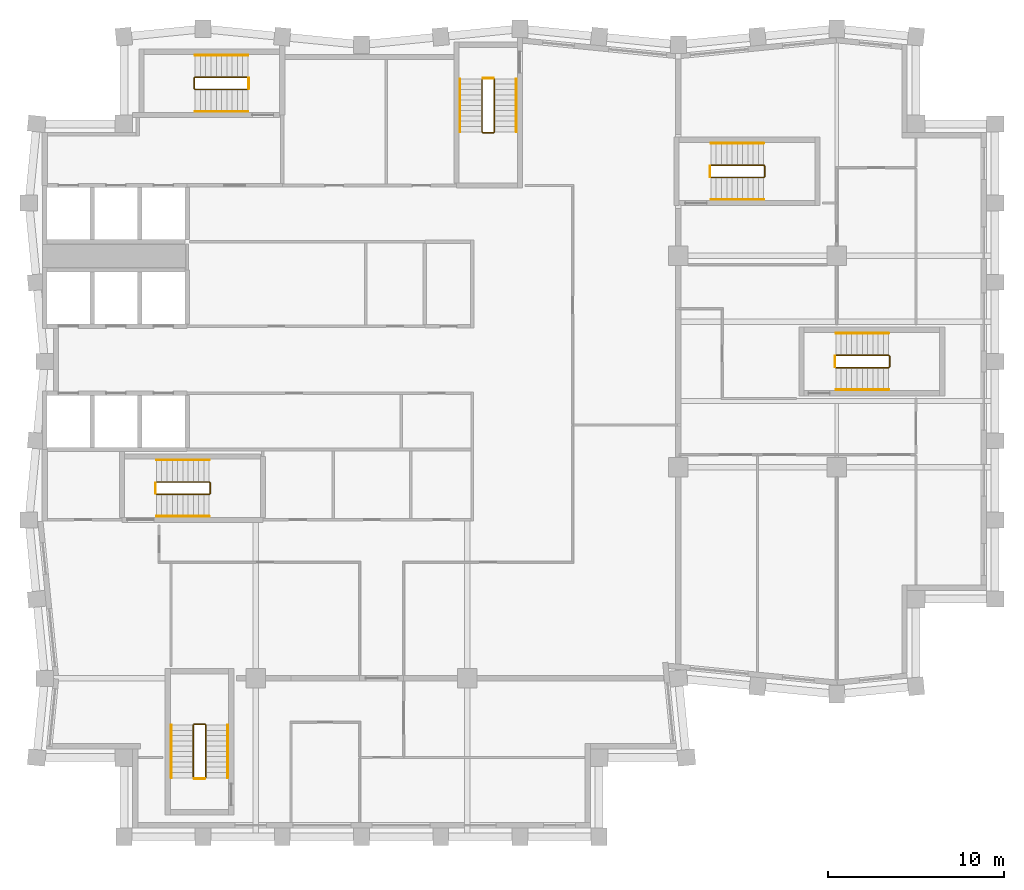
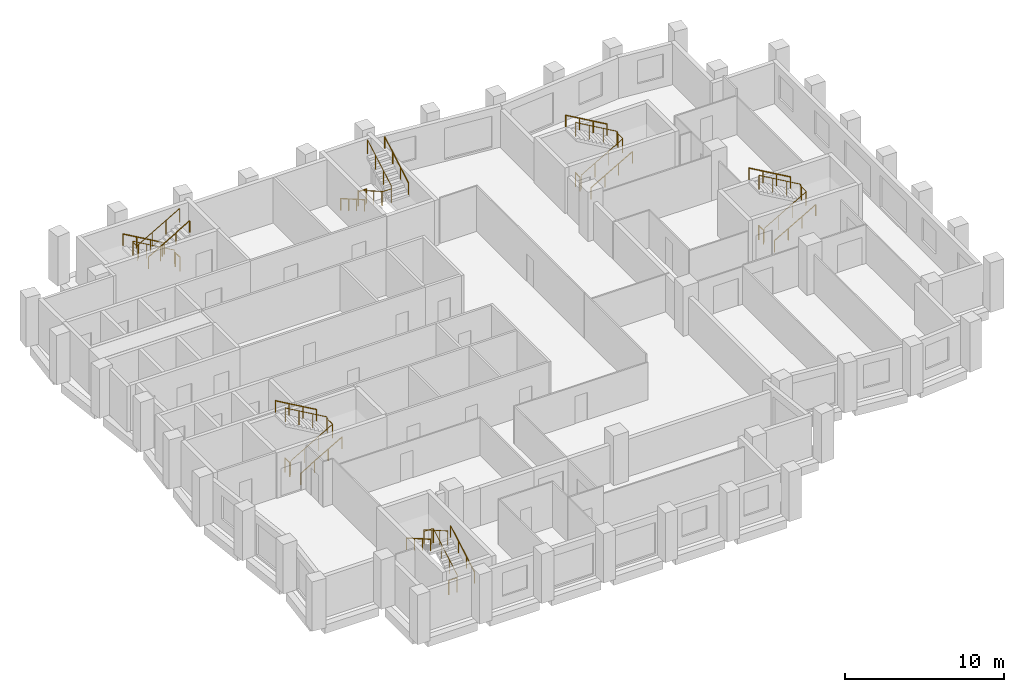
# One storey, part 8 of 8: 24 railings.
"""IFC4 building model written with IfcOpenShell, lengths in metres."""

from ifc_helpers import new_model, si_unit, direction, frame, origin, origin_2d, place, context, subcontext, project, spatial, circle, extrude, material, type_object, element, save


model = new_model("IFC4")

# Units and contexts
model_context = context("Model", 3, precision=1e-05, world=origin(), true_north=direction((0.0, 1.0)))
body_context = subcontext(model_context, "Body", "Model", "MODEL_VIEW")
ifc_project = project(units=[si_unit("LENGTHUNIT", "METRE"), si_unit("AREAUNIT", "SQUARE_METRE"), si_unit("VOLUMEUNIT", "CUBIC_METRE"), si_unit("PLANEANGLEUNIT", "RADIAN"), si_unit("MASSUNIT", "GRAM", prefix="KILO")], contexts=[model_context])

# Site, building, storey
site_placement = place(None, origin())
site = spatial("IfcSite", under=ifc_project, at=site_placement, CompositionType="ELEMENT")
building_placement = place(site_placement, origin())
building = spatial("IfcBuilding", under=site, at=building_placement, Name="Brondeck Convention Tower", CompositionType="ELEMENT")
storey_placement = place(building_placement, frame((0.0, 0.0, 214.0)))
storey = spatial("IfcBuildingStorey", under=building, at=storey_placement, Name="L52", CompositionType="ELEMENT", Elevation=214.0)

# Railings
ifc_material = material(Name="Steel S355", Category="steel")
railing_type_1 = type_object("IfcRailingType", Name="Stair guard 1100", PredefinedType="GUARDRAIL", material=ifc_material)
railing_1_placement = place(storey_placement, frame((6.35009765625, 37.449951171875, 0.172607421875)))
element("IfcRailing", 1, at=railing_1_placement, inside=storey, type_object=railing_type_1, Name="L52 ST-1 stair guard 1", PredefinedType="GUARDRAIL", context=body_context, shape_type="SweptSolid", body=[
    extrude(circle(Radius=0.02392578125, at=origin_2d()), frame((0.0, 0.0, 1.076171875), z_axis=(0.866619684472, 0.0, 0.498969260062), x_axis=(0.0, 1.0, 0.0)), (0.0, 0.0, 1.0), 3.461669921875),
    extrude(circle(Radius=0.02392578125, at=origin_2d()), frame((3.0, 0.0, 2.80322265625), z_axis=(0.705375805398, 0.708833529934, 0.0), x_axis=(-0.708833529934, 0.705375805398, 0.0)), (0.0, 0.0, 1.0), 0.070556640625),
    extrude(circle(Radius=0.02392578125, at=origin_2d()), frame((3.0498046875, 0.050048828125, 2.80322265625), z_axis=(0.0, 1.0, 0.0), x_axis=(-1.0, 0.0, 0.0)), (0.0, 0.0, 1.0), 0.60009765625),
    extrude(circle(Radius=0.02392578125, at=origin_2d()), frame((3.0498046875, 0.650146484375, 2.80322265625), z_axis=(-0.266832911964, 0.266832911964, 0.926067165051), x_axis=(-0.707106781187, -0.707106781187, 0.0)), (0.0, 0.0, 1.0), 0.186767578125),
    extrude(circle(Radius=0.02392578125, at=origin_2d()), frame((3.0, 0.699951171875, 2.97607421875), z_axis=(-0.866619684472, 0.0, 0.498969260062), x_axis=(0.0, -1.0, 0.0)), (0.0, 0.0, 1.0), 3.461669921875),
    extrude(circle(Radius=0.02099609375, at=origin_2d()), origin(), (0.0, 0.0, 1.0), 1.052001953125),
    extrude(circle(Radius=0.02099609375, at=origin_2d()), frame((1.0, 0.0, 0.57568359375)), (0.0, 0.0, 1.0), 1.052001953125),
    extrude(circle(Radius=0.02099609375, at=origin_2d()), frame((2.0, 0.0, 1.151611328125)), (0.0, 0.0, 1.0), 1.052001953125),
    extrude(circle(Radius=0.02099609375, at=origin_2d()), frame((3.0, 0.0, 1.727294921875)), (0.0, 0.0, 1.0), 1.052001953125),
    extrude(circle(Radius=0.02099609375, at=origin_2d()), frame((3.0498046875, 0.050048828125, 1.727294921875)), (0.0, 0.0, 1.0), 1.052001953125),
    extrude(circle(Radius=0.02099609375, at=origin_2d()), frame((3.0498046875, 0.650146484375, 1.727294921875)), (0.0, 0.0, 1.0), 1.052001953125),
    extrude(circle(Radius=0.02099609375, at=origin_2d()), frame((3.0, 0.699951171875, 1.900146484375)), (0.0, 0.0, 1.0), 1.052001953125),
    extrude(circle(Radius=0.02099609375, at=origin_2d()), frame((2.0, 0.699951171875, 2.475830078125)), (0.0, 0.0, 1.0), 1.052001953125),
    extrude(circle(Radius=0.02099609375, at=origin_2d()), frame((1.0, 0.699951171875, 3.0517578125)), (0.0, 0.0, 1.0), 1.052001953125),
    extrude(circle(Radius=0.02099609375, at=origin_2d()), frame((0.0, 0.699951171875, 3.62744140625)), (0.0, 0.0, 1.0), 1.052001953125),
])
railing_2_placement = place(storey_placement, frame((6.300048828125, 37.5, 0.0)))
element("IfcRailing", 2, at=railing_2_placement, inside=storey, type_object=railing_type_1, Name="L52 ST-1 stair guard 2", PredefinedType="GUARDRAIL", context=body_context, shape_type="SweptSolid", body=[
    extrude(circle(Radius=0.02392578125, at=origin_2d()), frame((0.0, 0.0, 1.076171875), z_axis=(0.0, 1.0, 0.0), x_axis=(-1.0, 0.0, 0.0)), (0.0, 0.0, 1.0), 0.60009765625),
    extrude(circle(Radius=0.02099609375, at=origin_2d()), origin(), (0.0, 0.0, 1.0), 1.052001953125),
    extrude(circle(Radius=0.02099609375, at=origin_2d()), frame((0.0, 0.60009765625, 0.0)), (0.0, 0.0, 1.0), 1.052001953125),
])
railing_3_placement = place(storey_placement, frame((24.85009765625, 61.050048828125, 0.172607421875)))
element("IfcRailing", 3, at=railing_3_placement, inside=storey, type_object=railing_type_1, Name="L52 ST-2 stair guard 1", PredefinedType="GUARDRAIL", context=body_context, shape_type="SweptSolid", body=[
    extrude(circle(Radius=0.02392578125, at=origin_2d()), frame((0.0, 0.0, 1.076171875), z_axis=(0.0, -0.866619684472, 0.498969260062), x_axis=(1.0, 0.0, 0.0)), (0.0, 0.0, 1.0), 3.461669921875),
    extrude(circle(Radius=0.02392578125, at=origin_2d()), frame((0.0, -3.0, 2.80322265625), z_axis=(0.705375805398, -0.708833529934, 0.0), x_axis=(0.708833529934, 0.705375805398, 0.0)), (0.0, 0.0, 1.0), 0.070556640625),
    extrude(circle(Radius=0.02392578125, at=origin_2d()), frame((0.0498046875, -3.050048828125, 2.80322265625), z_axis=(1.0, 0.0, 0.0), x_axis=(0.0, 1.0, 0.0)), (0.0, 0.0, 1.0), 0.60009765625),
    extrude(circle(Radius=0.02392578125, at=origin_2d()), frame((0.64990234375, -3.050048828125, 2.80322265625), z_axis=(0.267953482034, 0.267953482034, 0.925419830635), x_axis=(-0.707106781187, 0.707106781187, 0.0)), (0.0, 0.0, 1.0), 0.186767578125),
    extrude(circle(Radius=0.02392578125, at=origin_2d()), frame((0.699951171875, -3.0, 2.97607421875), z_axis=(0.0, 0.866619684472, 0.498969260062), x_axis=(-1.0, 0.0, 0.0)), (0.0, 0.0, 1.0), 3.461669921875),
    extrude(circle(Radius=0.02099609375, at=origin_2d()), origin(), (0.0, 0.0, 1.0), 1.052001953125),
    extrude(circle(Radius=0.02099609375, at=origin_2d()), frame((0.0, -1.0, 0.57568359375)), (0.0, 0.0, 1.0), 1.052001953125),
    extrude(circle(Radius=0.02099609375, at=origin_2d()), frame((0.0, -2.0, 1.151611328125)), (0.0, 0.0, 1.0), 1.052001953125),
    extrude(circle(Radius=0.02099609375, at=origin_2d()), frame((0.0, -3.0, 1.727294921875)), (0.0, 0.0, 1.0), 1.052001953125),
    extrude(circle(Radius=0.02099609375, at=origin_2d()), frame((0.0498046875, -3.050048828125, 1.727294921875)), (0.0, 0.0, 1.0), 1.052001953125),
    extrude(circle(Radius=0.02099609375, at=origin_2d()), frame((0.64990234375, -3.050048828125, 1.727294921875)), (0.0, 0.0, 1.0), 1.052001953125),
    extrude(circle(Radius=0.02099609375, at=origin_2d()), frame((0.699951171875, -3.0, 1.900146484375)), (0.0, 0.0, 1.0), 1.052001953125),
    extrude(circle(Radius=0.02099609375, at=origin_2d()), frame((0.699951171875, -2.0, 2.475830078125)), (0.0, 0.0, 1.0), 1.052001953125),
    extrude(circle(Radius=0.02099609375, at=origin_2d()), frame((0.699951171875, -1.0, 3.0517578125)), (0.0, 0.0, 1.0), 1.052001953125),
    extrude(circle(Radius=0.02099609375, at=origin_2d()), frame((0.699951171875, 0.0, 3.62744140625)), (0.0, 0.0, 1.0), 1.052001953125),
])
railing_4_placement = place(storey_placement, frame((24.89990234375, 61.10009765625, 0.0)))
element("IfcRailing", 4, at=railing_4_placement, inside=storey, type_object=railing_type_1, Name="L52 ST-2 stair guard 2", PredefinedType="GUARDRAIL", context=body_context, shape_type="SweptSolid", body=[
    extrude(circle(Radius=0.02392578125, at=origin_2d()), frame((0.0, 0.0, 1.076171875), z_axis=(1.0, 0.0, 0.0), x_axis=(0.0, 1.0, 0.0)), (0.0, 0.0, 1.0), 0.60009765625),
    extrude(circle(Radius=0.02099609375, at=origin_2d()), origin(), (0.0, 0.0, 1.0), 1.052001953125),
    extrude(circle(Radius=0.02099609375, at=origin_2d()), frame((0.60009765625, 0.0, 0.0)), (0.0, 0.0, 1.0), 1.052001953125),
])
railing_5_placement = place(storey_placement, frame((11.550048828125, 61.14990234375, 0.172607421875)))
element("IfcRailing", 5, at=railing_5_placement, inside=storey, type_object=railing_type_1, Name="L52 ST-3 stair guard 1", PredefinedType="GUARDRAIL", context=body_context, shape_type="SweptSolid", body=[
    extrude(circle(Radius=0.02392578125, at=origin_2d()), frame((0.0, 0.0, 1.076171875), z_axis=(-0.866619684472, 0.0, 0.498969260062), x_axis=(0.0, -1.0, 0.0)), (0.0, 0.0, 1.0), 3.461669921875),
    extrude(circle(Radius=0.02392578125, at=origin_2d()), frame((-3.0, 0.0, 2.80322265625), z_axis=(-0.708833529934, -0.705375805398, 0.0), x_axis=(0.705375805398, -0.708833529934, 0.0)), (0.0, 0.0, 1.0), 0.070556640625),
    extrude(circle(Radius=0.02392578125, at=origin_2d()), frame((-3.050048828125, -0.0498046875, 2.80322265625), z_axis=(0.0, -1.0, 0.0), x_axis=(1.0, 0.0, 0.0)), (0.0, 0.0, 1.0), 0.60009765625),
    extrude(circle(Radius=0.02392578125, at=origin_2d()), frame((-3.050048828125, -0.64990234375, 2.80322265625), z_axis=(0.267953482034, -0.267953482034, 0.925419830635), x_axis=(0.707106781187, 0.707106781187, 0.0)), (0.0, 0.0, 1.0), 0.186767578125),
    extrude(circle(Radius=0.02392578125, at=origin_2d()), frame((-3.0, -0.699951171875, 2.97607421875), z_axis=(0.866619684472, 0.0, 0.498969260062), x_axis=(0.0, 1.0, 0.0)), (0.0, 0.0, 1.0), 3.461669921875),
    extrude(circle(Radius=0.02099609375, at=origin_2d()), origin(), (0.0, 0.0, 1.0), 1.052001953125),
    extrude(circle(Radius=0.02099609375, at=origin_2d()), frame((-1.0, 0.0, 0.57568359375)), (0.0, 0.0, 1.0), 1.052001953125),
    extrude(circle(Radius=0.02099609375, at=origin_2d()), frame((-2.0, 0.0, 1.151611328125)), (0.0, 0.0, 1.0), 1.052001953125),
    extrude(circle(Radius=0.02099609375, at=origin_2d()), frame((-3.0, 0.0, 1.727294921875)), (0.0, 0.0, 1.0), 1.052001953125),
    extrude(circle(Radius=0.02099609375, at=origin_2d()), frame((-3.050048828125, -0.0498046875, 1.727294921875)), (0.0, 0.0, 1.0), 1.052001953125),
    extrude(circle(Radius=0.02099609375, at=origin_2d()), frame((-3.050048828125, -0.64990234375, 1.727294921875)), (0.0, 0.0, 1.0), 1.052001953125),
    extrude(circle(Radius=0.02099609375, at=origin_2d()), frame((-3.0, -0.699951171875, 1.900146484375)), (0.0, 0.0, 1.0), 1.052001953125),
    extrude(circle(Radius=0.02099609375, at=origin_2d()), frame((-2.0, -0.699951171875, 2.475830078125)), (0.0, 0.0, 1.0), 1.052001953125),
    extrude(circle(Radius=0.02099609375, at=origin_2d()), frame((-1.0, -0.699951171875, 3.0517578125)), (0.0, 0.0, 1.0), 1.052001953125),
    extrude(circle(Radius=0.02099609375, at=origin_2d()), frame((0.0, -0.699951171875, 3.62744140625)), (0.0, 0.0, 1.0), 1.052001953125),
])
railing_6_placement = place(storey_placement, frame((11.60009765625, 61.10009765625, 0.0)))
element("IfcRailing", 6, at=railing_6_placement, inside=storey, type_object=railing_type_1, Name="L52 ST-3 stair guard 2", PredefinedType="GUARDRAIL", context=body_context, shape_type="SweptSolid", body=[
    extrude(circle(Radius=0.02392578125, at=origin_2d()), frame((0.0, 0.0, 1.076171875), z_axis=(0.0, -1.0, 0.0), x_axis=(1.0, 0.0, 0.0)), (0.0, 0.0, 1.0), 0.60009765625),
    extrude(circle(Radius=0.02099609375, at=origin_2d()), origin(), (0.0, 0.0, 1.0), 1.052001953125),
    extrude(circle(Radius=0.02099609375, at=origin_2d()), frame((0.0, -0.60009765625, 0.0)), (0.0, 0.0, 1.0), 1.052001953125),
])
railing_7_placement = place(storey_placement, frame((37.85009765625, 55.449951171875, 0.172607421875)))
element("IfcRailing", 7, at=railing_7_placement, inside=storey, type_object=railing_type_1, Name="L52 ST-AE stair guard 1", PredefinedType="GUARDRAIL", context=body_context, shape_type="SweptSolid", body=[
    extrude(circle(Radius=0.02392578125, at=origin_2d()), frame((0.0, 0.0, 1.076171875), z_axis=(0.866619684472, 0.0, 0.498969260062), x_axis=(0.0, 1.0, 0.0)), (0.0, 0.0, 1.0), 3.461669921875),
    extrude(circle(Radius=0.02392578125, at=origin_2d()), frame((3.0, 0.0, 2.80322265625), z_axis=(0.705375805398, 0.708833529934, 0.0), x_axis=(-0.708833529934, 0.705375805398, 0.0)), (0.0, 0.0, 1.0), 0.070556640625),
    extrude(circle(Radius=0.02392578125, at=origin_2d()), frame((3.0498046875, 0.050048828125, 2.80322265625), z_axis=(0.0, 1.0, 0.0), x_axis=(-1.0, 0.0, 0.0)), (0.0, 0.0, 1.0), 0.60009765625),
    extrude(circle(Radius=0.02392578125, at=origin_2d()), frame((3.0498046875, 0.650146484375, 2.80322265625), z_axis=(-0.266832911964, 0.266832911964, 0.926067165051), x_axis=(-0.707106781187, -0.707106781187, 0.0)), (0.0, 0.0, 1.0), 0.186767578125),
    extrude(circle(Radius=0.02392578125, at=origin_2d()), frame((3.0, 0.699951171875, 2.97607421875), z_axis=(-0.866619684472, 0.0, 0.498969260062), x_axis=(0.0, -1.0, 0.0)), (0.0, 0.0, 1.0), 3.461669921875),
    extrude(circle(Radius=0.02099609375, at=origin_2d()), origin(), (0.0, 0.0, 1.0), 1.052001953125),
    extrude(circle(Radius=0.02099609375, at=origin_2d()), frame((1.0, 0.0, 0.57568359375)), (0.0, 0.0, 1.0), 1.052001953125),
    extrude(circle(Radius=0.02099609375, at=origin_2d()), frame((2.0, 0.0, 1.151611328125)), (0.0, 0.0, 1.0), 1.052001953125),
    extrude(circle(Radius=0.02099609375, at=origin_2d()), frame((3.0, 0.0, 1.727294921875)), (0.0, 0.0, 1.0), 1.052001953125),
    extrude(circle(Radius=0.02099609375, at=origin_2d()), frame((3.0498046875, 0.050048828125, 1.727294921875)), (0.0, 0.0, 1.0), 1.052001953125),
    extrude(circle(Radius=0.02099609375, at=origin_2d()), frame((3.0498046875, 0.650146484375, 1.727294921875)), (0.0, 0.0, 1.0), 1.052001953125),
    extrude(circle(Radius=0.02099609375, at=origin_2d()), frame((3.0, 0.699951171875, 1.900146484375)), (0.0, 0.0, 1.0), 1.052001953125),
    extrude(circle(Radius=0.02099609375, at=origin_2d()), frame((2.0, 0.699951171875, 2.475830078125)), (0.0, 0.0, 1.0), 1.052001953125),
    extrude(circle(Radius=0.02099609375, at=origin_2d()), frame((1.0, 0.699951171875, 3.0517578125)), (0.0, 0.0, 1.0), 1.052001953125),
    extrude(circle(Radius=0.02099609375, at=origin_2d()), frame((0.0, 0.699951171875, 3.62744140625)), (0.0, 0.0, 1.0), 1.052001953125),
])
railing_8_placement = place(storey_placement, frame((37.800048828125, 55.5, 0.0)))
element("IfcRailing", 8, at=railing_8_placement, inside=storey, type_object=railing_type_1, Name="L52 ST-AE stair guard 2", PredefinedType="GUARDRAIL", context=body_context, shape_type="SweptSolid", body=[
    extrude(circle(Radius=0.02392578125, at=origin_2d()), frame((0.0, 0.0, 1.076171875), z_axis=(0.0, 1.0, 0.0), x_axis=(-1.0, 0.0, 0.0)), (0.0, 0.0, 1.0), 0.60009765625),
    extrude(circle(Radius=0.02099609375, at=origin_2d()), origin(), (0.0, 0.0, 1.0), 1.052001953125),
    extrude(circle(Radius=0.02099609375, at=origin_2d()), frame((0.0, 0.60009765625, 0.0)), (0.0, 0.0, 1.0), 1.052001953125),
])
railing_9_placement = place(storey_placement, frame((9.14990234375, 21.35009765625, 0.172607421875)))
element("IfcRailing", 9, at=railing_9_placement, inside=storey, type_object=railing_type_1, Name="L52 ST-BE stair guard 1", PredefinedType="GUARDRAIL", context=body_context, shape_type="SweptSolid", body=[
    extrude(circle(Radius=0.02392578125, at=origin_2d()), frame((0.0, 0.0, 1.076171875), z_axis=(0.0, 0.866619684472, 0.498969260062), x_axis=(-1.0, 0.0, 0.0)), (0.0, 0.0, 1.0), 3.461669921875),
    extrude(circle(Radius=0.02392578125, at=origin_2d()), frame((0.0, 3.0, 2.80322265625), z_axis=(-0.707106781187, 0.707106781187, 0.0), x_axis=(-0.707106781187, -0.707106781187, 0.0)), (0.0, 0.0, 1.0), 0.0703125),
    extrude(circle(Radius=0.02392578125, at=origin_2d()), frame((-0.0498046875, 3.0498046875, 2.80322265625), z_axis=(-1.0, 0.0, 0.0), x_axis=(0.0, -1.0, 0.0)), (0.0, 0.0, 1.0), 0.60009765625),
    extrude(circle(Radius=0.02392578125, at=origin_2d()), frame((-0.64990234375, 3.0498046875, 2.80322265625), z_axis=(-0.268047150085, -0.266739603011, 0.925743328097), x_axis=(0.705375805398, -0.708833529934, 0.0)), (0.0, 0.0, 1.0), 0.186767578125),
    extrude(circle(Radius=0.02392578125, at=origin_2d()), frame((-0.699951171875, 3.0, 2.97607421875), z_axis=(0.0, -0.866619684472, 0.498969260062), x_axis=(1.0, 0.0, 0.0)), (0.0, 0.0, 1.0), 3.461669921875),
    extrude(circle(Radius=0.02099609375, at=origin_2d()), origin(), (0.0, 0.0, 1.0), 1.052001953125),
    extrude(circle(Radius=0.02099609375, at=origin_2d()), frame((0.0, 1.0, 0.57568359375)), (0.0, 0.0, 1.0), 1.052001953125),
    extrude(circle(Radius=0.02099609375, at=origin_2d()), frame((0.0, 2.0, 1.151611328125)), (0.0, 0.0, 1.0), 1.052001953125),
    extrude(circle(Radius=0.02099609375, at=origin_2d()), frame((0.0, 3.0, 1.727294921875)), (0.0, 0.0, 1.0), 1.052001953125),
    extrude(circle(Radius=0.02099609375, at=origin_2d()), frame((-0.0498046875, 3.0498046875, 1.727294921875)), (0.0, 0.0, 1.0), 1.052001953125),
    extrude(circle(Radius=0.02099609375, at=origin_2d()), frame((-0.64990234375, 3.0498046875, 1.727294921875)), (0.0, 0.0, 1.0), 1.052001953125),
    extrude(circle(Radius=0.02099609375, at=origin_2d()), frame((-0.699951171875, 3.0, 1.900146484375)), (0.0, 0.0, 1.0), 1.052001953125),
    extrude(circle(Radius=0.02099609375, at=origin_2d()), frame((-0.699951171875, 2.0, 2.475830078125)), (0.0, 0.0, 1.0), 1.052001953125),
    extrude(circle(Radius=0.02099609375, at=origin_2d()), frame((-0.699951171875, 1.0, 3.0517578125)), (0.0, 0.0, 1.0), 1.052001953125),
    extrude(circle(Radius=0.02099609375, at=origin_2d()), frame((-0.699951171875, 0.0, 3.62744140625)), (0.0, 0.0, 1.0), 1.052001953125),
])
railing_10_placement = place(storey_placement, frame((9.10009765625, 21.300048828125, 0.0)))
element("IfcRailing", 10, at=railing_10_placement, inside=storey, type_object=railing_type_1, Name="L52 ST-BE stair guard 2", PredefinedType="GUARDRAIL", context=body_context, shape_type="SweptSolid", body=[
    extrude(circle(Radius=0.02392578125, at=origin_2d()), frame((0.0, 0.0, 1.076171875), z_axis=(-1.0, 0.0, 0.0), x_axis=(0.0, -1.0, 0.0)), (0.0, 0.0, 1.0), 0.60009765625),
    extrude(circle(Radius=0.02099609375, at=origin_2d()), origin(), (0.0, 0.0, 1.0), 1.052001953125),
    extrude(circle(Radius=0.02099609375, at=origin_2d()), frame((-0.60009765625, 0.0, 0.0)), (0.0, 0.0, 1.0), 1.052001953125),
])
railing_11_placement = place(storey_placement, frame((44.949951171875, 44.64990234375, 0.172607421875)))
element("IfcRailing", 11, at=railing_11_placement, inside=storey, type_object=railing_type_1, Name="L52 ST-AF stair guard 1", PredefinedType="GUARDRAIL", context=body_context, shape_type="SweptSolid", body=[
    extrude(circle(Radius=0.02392578125, at=origin_2d()), frame((0.0, 0.0, 1.076171875), z_axis=(0.866619684472, 0.0, 0.498969260062), x_axis=(0.0, 1.0, 0.0)), (0.0, 0.0, 1.0), 3.461669921875),
    extrude(circle(Radius=0.02392578125, at=origin_2d()), frame((3.0, 0.0, 2.80322265625), z_axis=(0.707106781187, 0.707106781187, 0.0), x_axis=(-0.707106781187, 0.707106781187, 0.0)), (0.0, 0.0, 1.0), 0.07080078125),
    extrude(circle(Radius=0.02392578125, at=origin_2d()), frame((3.050048828125, 0.050048828125, 2.80322265625), z_axis=(0.0, 1.0, 0.0), x_axis=(-1.0, 0.0, 0.0)), (0.0, 0.0, 1.0), 0.60009765625),
    extrude(circle(Radius=0.02392578125, at=origin_2d()), frame((3.050048828125, 0.650146484375, 2.80322265625), z_axis=(-0.267953482034, 0.267953482034, 0.925419830635), x_axis=(-0.707106781187, -0.707106781187, 0.0)), (0.0, 0.0, 1.0), 0.186767578125),
    extrude(circle(Radius=0.02392578125, at=origin_2d()), frame((3.0, 0.7001953125, 2.97607421875), z_axis=(-0.866619684472, 0.0, 0.498969260062), x_axis=(0.0, -1.0, 0.0)), (0.0, 0.0, 1.0), 3.461669921875),
    extrude(circle(Radius=0.02099609375, at=origin_2d()), origin(), (0.0, 0.0, 1.0), 1.052001953125),
    extrude(circle(Radius=0.02099609375, at=origin_2d()), frame((1.0, 0.0, 0.57568359375)), (0.0, 0.0, 1.0), 1.052001953125),
    extrude(circle(Radius=0.02099609375, at=origin_2d()), frame((2.0, 0.0, 1.151611328125)), (0.0, 0.0, 1.0), 1.052001953125),
    extrude(circle(Radius=0.02099609375, at=origin_2d()), frame((3.0, 0.0, 1.727294921875)), (0.0, 0.0, 1.0), 1.052001953125),
    extrude(circle(Radius=0.02099609375, at=origin_2d()), frame((3.050048828125, 0.050048828125, 1.727294921875)), (0.0, 0.0, 1.0), 1.052001953125),
    extrude(circle(Radius=0.02099609375, at=origin_2d()), frame((3.050048828125, 0.650146484375, 1.727294921875)), (0.0, 0.0, 1.0), 1.052001953125),
    extrude(circle(Radius=0.02099609375, at=origin_2d()), frame((3.0, 0.7001953125, 1.900146484375)), (0.0, 0.0, 1.0), 1.052001953125),
    extrude(circle(Radius=0.02099609375, at=origin_2d()), frame((2.0, 0.7001953125, 2.475830078125)), (0.0, 0.0, 1.0), 1.052001953125),
    extrude(circle(Radius=0.02099609375, at=origin_2d()), frame((1.0, 0.7001953125, 3.0517578125)), (0.0, 0.0, 1.0), 1.052001953125),
    extrude(circle(Radius=0.02099609375, at=origin_2d()), frame((0.0, 0.7001953125, 3.62744140625)), (0.0, 0.0, 1.0), 1.052001953125),
])
railing_12_placement = place(storey_placement, frame((44.89990234375, 44.699951171875, 0.0)))
element("IfcRailing", 12, at=railing_12_placement, inside=storey, type_object=railing_type_1, Name="L52 ST-AF stair guard 2", PredefinedType="GUARDRAIL", context=body_context, shape_type="SweptSolid", body=[
    extrude(circle(Radius=0.02392578125, at=origin_2d()), frame((0.0, 0.0, 1.076171875), z_axis=(0.0, 1.0, 0.0), x_axis=(-1.0, 0.0, 0.0)), (0.0, 0.0, 1.0), 0.60009765625),
    extrude(circle(Radius=0.02099609375, at=origin_2d()), origin(), (0.0, 0.0, 1.0), 1.052001953125),
    extrude(circle(Radius=0.02099609375, at=origin_2d()), frame((0.0, 0.60009765625, 0.0)), (0.0, 0.0, 1.0), 1.052001953125),
])
railing_type_2 = type_object("IfcRailingType", Name="Stair handrail", PredefinedType="HANDRAIL", material=ifc_material)
railing_13_placement = place(storey_placement, frame((6.35009765625, 36.199951171875, 0.172607421875)))
element("IfcRailing", 13, at=railing_13_placement, inside=storey, type_object=railing_type_2, Name="L52 ST-1 stair handrail 1", PredefinedType="HANDRAIL", context=body_context, shape_type="SweptSolid", body=[
    extrude(circle(Radius=0.02392578125, at=origin_2d()), frame((0.0, 0.0, 0.8759765625), z_axis=(0.866619684472, 0.0, 0.498969260062), x_axis=(0.0, 1.0, 0.0)), (0.0, 0.0, 1.0), 3.461669921875),
    extrude(circle(Radius=0.02099609375, at=origin_2d()), origin(), (0.0, 0.0, 1.0), 0.851806640625),
    extrude(circle(Radius=0.02099609375, at=origin_2d()), frame((1.0, 0.0, 0.57568359375)), (0.0, 0.0, 1.0), 0.851806640625),
    extrude(circle(Radius=0.02099609375, at=origin_2d()), frame((2.0, 0.0, 1.151611328125)), (0.0, 0.0, 1.0), 0.851806640625),
    extrude(circle(Radius=0.02099609375, at=origin_2d()), frame((3.0, 0.0, 1.727294921875)), (0.0, 0.0, 1.0), 0.851806640625),
])
railing_14_placement = place(storey_placement, frame((9.35009765625, 39.39990234375, 2.07275390625)))
element("IfcRailing", 14, at=railing_14_placement, inside=storey, type_object=railing_type_2, Name="L52 ST-1 stair handrail 2", PredefinedType="HANDRAIL", context=body_context, shape_type="SweptSolid", body=[
    extrude(circle(Radius=0.02392578125, at=origin_2d()), frame((0.0, 0.0, 0.8759765625), z_axis=(-0.866619684472, 0.0, 0.498969260062), x_axis=(0.0, -1.0, 0.0)), (0.0, 0.0, 1.0), 3.461669921875),
    extrude(circle(Radius=0.02099609375, at=origin_2d()), origin(), (0.0, 0.0, 1.0), 0.851806640625),
    extrude(circle(Radius=0.02099609375, at=origin_2d()), frame((-1.0, 0.0, 0.57568359375)), (0.0, 0.0, 1.0), 0.851806640625),
    extrude(circle(Radius=0.02099609375, at=origin_2d()), frame((-2.0, 0.0, 1.151611328125)), (0.0, 0.0, 1.0), 0.851806640625),
    extrude(circle(Radius=0.02099609375, at=origin_2d()), frame((-3.0, 0.0, 1.727294921875)), (0.0, 0.0, 1.0), 0.851806640625),
])
railing_15_placement = place(storey_placement, frame((23.60009765625, 61.050048828125, 0.172607421875)))
element("IfcRailing", 15, at=railing_15_placement, inside=storey, type_object=railing_type_2, Name="L52 ST-2 stair handrail 1", PredefinedType="HANDRAIL", context=body_context, shape_type="SweptSolid", body=[
    extrude(circle(Radius=0.02392578125, at=origin_2d()), frame((0.0, 0.0, 0.8759765625), z_axis=(0.0, -0.866619684472, 0.498969260062), x_axis=(1.0, 0.0, 0.0)), (0.0, 0.0, 1.0), 3.461669921875),
    extrude(circle(Radius=0.02099609375, at=origin_2d()), origin(), (0.0, 0.0, 1.0), 0.851806640625),
    extrude(circle(Radius=0.02099609375, at=origin_2d()), frame((0.0, -1.0, 0.57568359375)), (0.0, 0.0, 1.0), 0.851806640625),
    extrude(circle(Radius=0.02099609375, at=origin_2d()), frame((0.0, -2.0, 1.151611328125)), (0.0, 0.0, 1.0), 0.851806640625),
    extrude(circle(Radius=0.02099609375, at=origin_2d()), frame((0.0, -3.0, 1.727294921875)), (0.0, 0.0, 1.0), 0.851806640625),
])
railing_16_placement = place(storey_placement, frame((26.800048828125, 58.050048828125, 2.07275390625)))
element("IfcRailing", 16, at=railing_16_placement, inside=storey, type_object=railing_type_2, Name="L52 ST-2 stair handrail 2", PredefinedType="HANDRAIL", context=body_context, shape_type="SweptSolid", body=[
    extrude(circle(Radius=0.02392578125, at=origin_2d()), frame((0.0, 0.0, 0.8759765625), z_axis=(0.0, 0.866619684472, 0.498969260062), x_axis=(-1.0, 0.0, 0.0)), (0.0, 0.0, 1.0), 3.461669921875),
    extrude(circle(Radius=0.02099609375, at=origin_2d()), origin(), (0.0, 0.0, 1.0), 0.851806640625),
    extrude(circle(Radius=0.02099609375, at=origin_2d()), frame((0.0, 1.0, 0.57568359375)), (0.0, 0.0, 1.0), 0.851806640625),
    extrude(circle(Radius=0.02099609375, at=origin_2d()), frame((0.0, 2.0, 1.151611328125)), (0.0, 0.0, 1.0), 0.851806640625),
    extrude(circle(Radius=0.02099609375, at=origin_2d()), frame((0.0, 3.0, 1.727294921875)), (0.0, 0.0, 1.0), 0.851806640625),
])
railing_17_placement = place(storey_placement, frame((11.550048828125, 62.39990234375, 0.172607421875)))
element("IfcRailing", 17, at=railing_17_placement, inside=storey, type_object=railing_type_2, Name="L52 ST-3 stair handrail 1", PredefinedType="HANDRAIL", context=body_context, shape_type="SweptSolid", body=[
    extrude(circle(Radius=0.02392578125, at=origin_2d()), frame((0.0, 0.0, 0.8759765625), z_axis=(-0.866619684472, 0.0, 0.498969260062), x_axis=(0.0, -1.0, 0.0)), (0.0, 0.0, 1.0), 3.461669921875),
    extrude(circle(Radius=0.02099609375, at=origin_2d()), origin(), (0.0, 0.0, 1.0), 0.851806640625),
    extrude(circle(Radius=0.02099609375, at=origin_2d()), frame((-1.0, 0.0, 0.57568359375)), (0.0, 0.0, 1.0), 0.851806640625),
    extrude(circle(Radius=0.02099609375, at=origin_2d()), frame((-2.0, 0.0, 1.151611328125)), (0.0, 0.0, 1.0), 0.851806640625),
    extrude(circle(Radius=0.02099609375, at=origin_2d()), frame((-3.0, 0.0, 1.727294921875)), (0.0, 0.0, 1.0), 0.851806640625),
])
for number, where, name in (
    (18, (8.550048828125, 59.199951171875, 2.07275390625), "L52 ST-3 stair handrail 2"),
    (19, (37.85009765625, 54.199951171875, 0.172607421875), "L52 ST-AE stair handrail 1"),
):
    element("IfcRailing", number, at=place(storey_placement, frame(where)), inside=storey, type_object=railing_type_2, Name=name, PredefinedType="HANDRAIL", context=body_context, shape_type="SweptSolid", body=[
        extrude(circle(Radius=0.02392578125, at=origin_2d()), frame((0.0, 0.0, 0.8759765625), z_axis=(0.866619684472, 0.0, 0.498969260062), x_axis=(0.0, 1.0, 0.0)), (0.0, 0.0, 1.0), 3.461669921875),
        extrude(circle(Radius=0.02099609375, at=origin_2d()), origin(), (0.0, 0.0, 1.0), 0.851806640625),
        extrude(circle(Radius=0.02099609375, at=origin_2d()), frame((1.0, 0.0, 0.57568359375)), (0.0, 0.0, 1.0), 0.851806640625),
        extrude(circle(Radius=0.02099609375, at=origin_2d()), frame((2.0, 0.0, 1.151611328125)), (0.0, 0.0, 1.0), 0.851806640625),
        extrude(circle(Radius=0.02099609375, at=origin_2d()), frame((3.0, 0.0, 1.727294921875)), (0.0, 0.0, 1.0), 0.851806640625),
    ])
railing_18_placement = place(storey_placement, frame((40.85009765625, 57.39990234375, 2.07275390625)))
element("IfcRailing", 20, at=railing_18_placement, inside=storey, type_object=railing_type_2, Name="L52 ST-AE stair handrail 2", PredefinedType="HANDRAIL", context=body_context, shape_type="SweptSolid", body=[
    extrude(circle(Radius=0.02392578125, at=origin_2d()), frame((0.0, 0.0, 0.8759765625), z_axis=(-0.866619684472, 0.0, 0.498969260062), x_axis=(0.0, -1.0, 0.0)), (0.0, 0.0, 1.0), 3.461669921875),
    extrude(circle(Radius=0.02099609375, at=origin_2d()), origin(), (0.0, 0.0, 1.0), 0.851806640625),
    extrude(circle(Radius=0.02099609375, at=origin_2d()), frame((-1.0, 0.0, 0.57568359375)), (0.0, 0.0, 1.0), 0.851806640625),
    extrude(circle(Radius=0.02099609375, at=origin_2d()), frame((-2.0, 0.0, 1.151611328125)), (0.0, 0.0, 1.0), 0.851806640625),
    extrude(circle(Radius=0.02099609375, at=origin_2d()), frame((-3.0, 0.0, 1.727294921875)), (0.0, 0.0, 1.0), 0.851806640625),
])
railing_19_placement = place(storey_placement, frame((10.39990234375, 21.35009765625, 0.172607421875)))
element("IfcRailing", 21, at=railing_19_placement, inside=storey, type_object=railing_type_2, Name="L52 ST-BE stair handrail 1", PredefinedType="HANDRAIL", context=body_context, shape_type="SweptSolid", body=[
    extrude(circle(Radius=0.02392578125, at=origin_2d()), frame((0.0, 0.0, 0.8759765625), z_axis=(0.0, 0.866619684472, 0.498969260062), x_axis=(-1.0, 0.0, 0.0)), (0.0, 0.0, 1.0), 3.461669921875),
    extrude(circle(Radius=0.02099609375, at=origin_2d()), origin(), (0.0, 0.0, 1.0), 0.851806640625),
    extrude(circle(Radius=0.02099609375, at=origin_2d()), frame((0.0, 1.0, 0.57568359375)), (0.0, 0.0, 1.0), 0.851806640625),
    extrude(circle(Radius=0.02099609375, at=origin_2d()), frame((0.0, 2.0, 1.151611328125)), (0.0, 0.0, 1.0), 0.851806640625),
    extrude(circle(Radius=0.02099609375, at=origin_2d()), frame((0.0, 3.0, 1.727294921875)), (0.0, 0.0, 1.0), 0.851806640625),
])
railing_20_placement = place(storey_placement, frame((7.199951171875, 24.35009765625, 2.07275390625)))
element("IfcRailing", 22, at=railing_20_placement, inside=storey, type_object=railing_type_2, Name="L52 ST-BE stair handrail 2", PredefinedType="HANDRAIL", context=body_context, shape_type="SweptSolid", body=[
    extrude(circle(Radius=0.02392578125, at=origin_2d()), frame((0.0, 0.0, 0.8759765625), z_axis=(0.0, -0.866619684472, 0.498969260062), x_axis=(1.0, 0.0, 0.0)), (0.0, 0.0, 1.0), 3.461669921875),
    extrude(circle(Radius=0.02099609375, at=origin_2d()), origin(), (0.0, 0.0, 1.0), 0.851806640625),
    extrude(circle(Radius=0.02099609375, at=origin_2d()), frame((0.0, -1.0, 0.57568359375)), (0.0, 0.0, 1.0), 0.851806640625),
    extrude(circle(Radius=0.02099609375, at=origin_2d()), frame((0.0, -2.0, 1.151611328125)), (0.0, 0.0, 1.0), 0.851806640625),
    extrude(circle(Radius=0.02099609375, at=origin_2d()), frame((0.0, -3.0, 1.727294921875)), (0.0, 0.0, 1.0), 0.851806640625),
])
railing_21_placement = place(storey_placement, frame((44.949951171875, 43.39990234375, 0.172607421875)))
element("IfcRailing", 23, at=railing_21_placement, inside=storey, type_object=railing_type_2, Name="L52 ST-AF stair handrail 1", PredefinedType="HANDRAIL", context=body_context, shape_type="SweptSolid", body=[
    extrude(circle(Radius=0.02392578125, at=origin_2d()), frame((0.0, 0.0, 0.8759765625), z_axis=(0.866619684472, 0.0, 0.498969260062), x_axis=(0.0, 1.0, 0.0)), (0.0, 0.0, 1.0), 3.461669921875),
    extrude(circle(Radius=0.02099609375, at=origin_2d()), origin(), (0.0, 0.0, 1.0), 0.851806640625),
    extrude(circle(Radius=0.02099609375, at=origin_2d()), frame((1.0, 0.0, 0.57568359375)), (0.0, 0.0, 1.0), 0.851806640625),
    extrude(circle(Radius=0.02099609375, at=origin_2d()), frame((2.0, 0.0, 1.151611328125)), (0.0, 0.0, 1.0), 0.851806640625),
    extrude(circle(Radius=0.02099609375, at=origin_2d()), frame((3.0, 0.0, 1.727294921875)), (0.0, 0.0, 1.0), 0.851806640625),
])
railing_22_placement = place(storey_placement, frame((47.949951171875, 46.60009765625, 2.07275390625)))
element("IfcRailing", 24, at=railing_22_placement, inside=storey, type_object=railing_type_2, Name="L52 ST-AF stair handrail 2", PredefinedType="HANDRAIL", context=body_context, shape_type="SweptSolid", body=[
    extrude(circle(Radius=0.02392578125, at=origin_2d()), frame((0.0, 0.0, 0.8759765625), z_axis=(-0.866619684472, 0.0, 0.498969260062), x_axis=(0.0, -1.0, 0.0)), (0.0, 0.0, 1.0), 3.461669921875),
    extrude(circle(Radius=0.02099609375, at=origin_2d()), origin(), (0.0, 0.0, 1.0), 0.851806640625),
    extrude(circle(Radius=0.02099609375, at=origin_2d()), frame((-1.0, 0.0, 0.57568359375)), (0.0, 0.0, 1.0), 0.851806640625),
    extrude(circle(Radius=0.02099609375, at=origin_2d()), frame((-2.0, 0.0, 1.151611328125)), (0.0, 0.0, 1.0), 0.851806640625),
    extrude(circle(Radius=0.02099609375, at=origin_2d()), frame((-3.0, 0.0, 1.727294921875)), (0.0, 0.0, 1.0), 0.851806640625),
])

save(model, "model.ifc")
